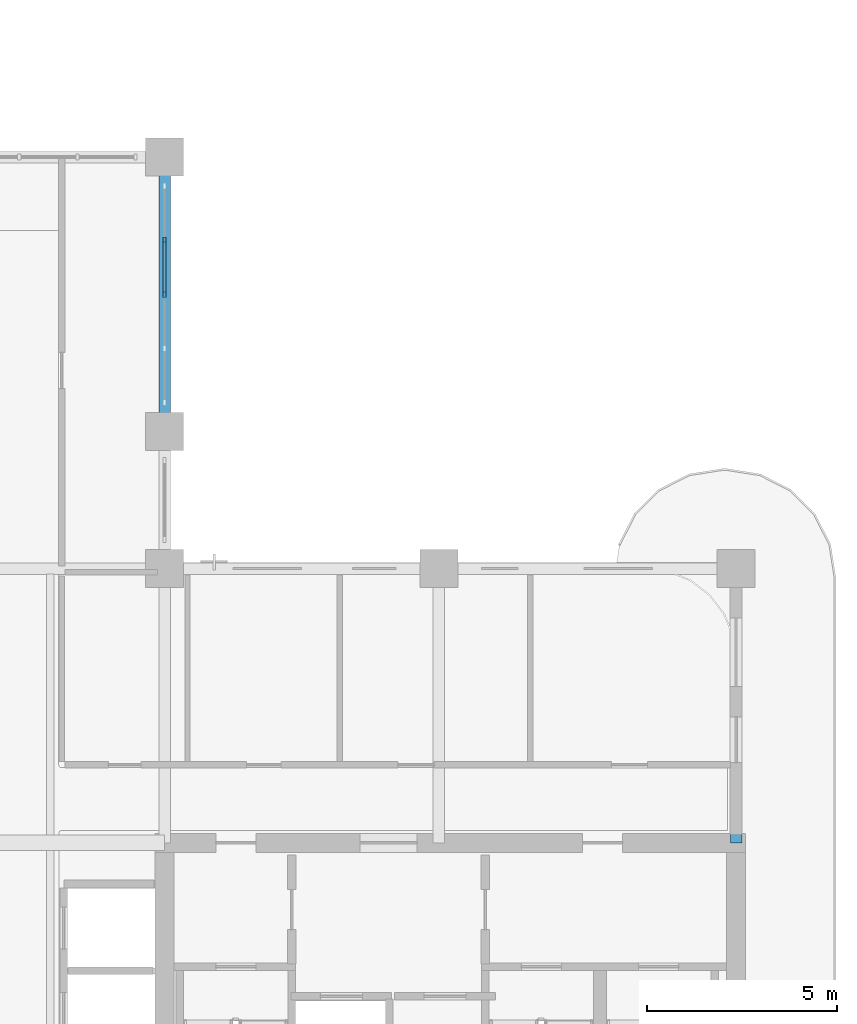
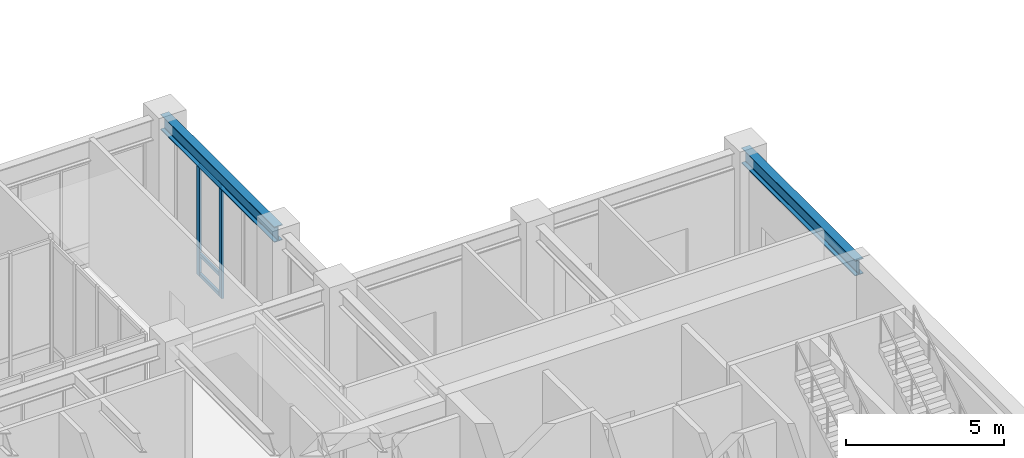
# One storey, part 4 of 21: 5 members, 2 beams, 1 element without a shape of its own.
"""IFC4 building model written with IfcOpenShell, lengths in metres."""

import ifcopenshell
import ifcopenshell.guid

model = None  # the IFC model being written
_history = None  # IfcOwnerHistory: only IFC2X3 demands one
_inside = {}  # id of a spatial element -> (the spatial element, [elements in it])
_under = {}  # id of a project, library or spatial element -> (it, [spatial elements below it])
_declared = {}  # id of a project -> (the project, [libraries it declares])
_typed = {}  # id of a type object -> (the type object, [elements of that type])
_made_of = {}  # id of a material, layer set ... -> (it, [elements and type objects made of it])


def new_model(schema):
    """Start an empty IFC model of exactly this schema.

    Asked for "IFC4X3", IfcOpenShell would pick the latest addendum, in which some entities
    have other attributes; the version numbers below select the first issue.
    IFC2X3 requires an IfcOwnerHistory on every rooted entity: one is made here for all.
    """
    global model, _history
    if schema == "IFC4X3":
        model = ifcopenshell.file(schema_version=(4, 3, 0, 0))
    else:
        model = ifcopenshell.file(schema=schema)
    _inside.clear()
    _under.clear()
    _declared.clear()
    _typed.clear()
    _made_of.clear()
    _history = None
    if model.schema == "IFC2X3":
        org = make("IfcOrganization", Name="unknown")
        user = make(
            "IfcPersonAndOrganization",
            ThePerson=make("IfcPerson", FamilyName="unknown"),
            TheOrganization=org,
        )
        app = make(
            "IfcApplication",
            ApplicationDeveloper=org,
            Version="unknown",
            ApplicationFullName="unknown",
            ApplicationIdentifier="unknown",
        )
        _history = make(
            "IfcOwnerHistory",
            OwningUser=user,
            OwningApplication=app,
            ChangeAction="ADDED",
            CreationDate=0,
        )
    return model


def make(cls, **values):
    """One entity of the class cls with the attributes given. An attribute that is None is left unset."""
    return model.create_entity(
        cls, **{name: value for name, value in values.items() if value is not None}
    )


def rooted(cls, **values):
    """An entity with a GlobalId (a new one), such as an element, a storey or a relation."""
    return make(cls, GlobalId=ifcopenshell.guid.new(), OwnerHistory=_history, **values)


def si_unit(unit_type, name, prefix=None):
    """IfcSIUnit, for example si_unit("LENGTHUNIT", "METRE", prefix="MILLI")."""
    return make("IfcSIUnit", UnitType=unit_type, Prefix=prefix, Name=name)


def derived_unit(unit_type, elements):
    """IfcDerivedUnit: a product of units, each with its exponent."""
    return make(
        "IfcDerivedUnit",
        Elements=[
            make("IfcDerivedUnitElement", Unit=unit, Exponent=power)
            for unit, power in elements
        ],
        UnitType=unit_type,
    )


def assignment(units):
    """IfcUnitAssignment: the units of a project."""
    return None if units is None else make("IfcUnitAssignment", Units=units)


def point(xyz):
    """IfcCartesianPoint."""
    return None if xyz is None else make("IfcCartesianPoint", Coordinates=xyz)


def direction(xyz):
    """IfcDirection."""
    return None if xyz is None else make("IfcDirection", DirectionRatios=xyz)


def frame(location, z_axis=None, x_axis=None):
    """IfcAxis2Placement3D, a coordinate frame: its origin and axes. An axis left out is left unset."""
    return make(
        "IfcAxis2Placement3D",
        Location=point(location),
        Axis=direction(z_axis),
        RefDirection=direction(x_axis),
    )


def frame_2d(location, x_axis=None):
    """IfcAxis2Placement2D, a coordinate frame in the plane: its origin and x axis."""
    return make(
        "IfcAxis2Placement2D", Location=point(location), RefDirection=direction(x_axis)
    )


def origin():
    """The frame at (0, 0, 0) with its axes left unset."""
    return frame((0.0, 0.0, 0.0))


def origin_2d():
    """The frame at (0, 0) in the plane with its x axis left unset."""
    return frame_2d((0.0, 0.0))


def place(relative_to, where):
    """IfcLocalPlacement: puts the frame where relative to a parent placement (None: the world)."""
    return make(
        "IfcLocalPlacement", PlacementRelTo=relative_to, RelativePlacement=where
    )


def context(
    kind, dimensions, precision=None, world=None, true_north=None, identifier=None
):
    """IfcGeometricRepresentationContext, for example the 3D "Model" context."""
    return make(
        "IfcGeometricRepresentationContext",
        ContextIdentifier=identifier,
        ContextType=kind,
        CoordinateSpaceDimension=dimensions,
        Precision=precision,
        WorldCoordinateSystem=world,
        TrueNorth=true_north,
    )


def subcontext(parent, identifier, kind, view, scale=None):
    """IfcGeometricRepresentationSubContext, for example "Body" below "Model"."""
    return make(
        "IfcGeometricRepresentationSubContext",
        ContextIdentifier=identifier,
        ContextType=kind,
        ParentContext=parent,
        TargetScale=scale,
        TargetView=view,
    )


def project(units=None, contexts=None):
    """IfcProject with its units and contexts."""
    return rooted(
        "IfcProject",
        Name="project",
        RepresentationContexts=contexts,
        UnitsInContext=assignment(units),
    )


def spatial(cls, under=None, at=None, **own):
    """A site, building, storey or space (cls), placed at a placement, below another one or the project."""
    s = rooted(cls, ObjectPlacement=at, **own)
    if under is not None:
        _under.setdefault(under.id(), (under, []))[1].append(s)
    return s


def profile(cls, at=None, kind="AREA", **sizes):
    """A parametric profile (cls). Its sizes go by their IFC names, for example OverallWidth=200.0."""
    return make(cls, ProfileType=kind, Position=at, **sizes)


def rectangle(**sizes):
    """IfcRectangleProfileDef."""
    return profile("IfcRectangleProfileDef", **sizes)


def i_section(**sizes):
    """IfcIShapeProfileDef."""
    return profile("IfcIShapeProfileDef", **sizes)


def extrude(swept, where, along, depth):
    """IfcExtrudedAreaSolid: the profile swept, set in the frame where, extruded along a direction by depth."""
    return make(
        "IfcExtrudedAreaSolid",
        SweptArea=swept,
        Position=where,
        ExtrudedDirection=direction(along),
        Depth=depth,
    )


def shape(context_of_items, identifier, shape_type, items):
    """IfcShapeRepresentation: the items that make up one representation, for example the "Body"."""
    return make(
        "IfcShapeRepresentation",
        ContextOfItems=context_of_items,
        RepresentationIdentifier=identifier,
        RepresentationType=shape_type,
        Items=items,
    )


def source(mapping_origin, context_of_items, identifier, shape_type, items):
    """IfcRepresentationMap: a shape defined once, which mapped items show again and again."""
    return make(
        "IfcRepresentationMap",
        MappingOrigin=mapping_origin,
        MappedRepresentation=shape(context_of_items, identifier, shape_type, items),
    )


def transform(
    local_origin,
    x_axis=None,
    y_axis=None,
    z_axis=None,
    scale=None,
    scale2=None,
    scale3=None,
    uniform=True,
):
    """IfcCartesianTransformationOperator3D, or its non-uniform kind. x_axis, y_axis, z_axis: its Axis1, 2, 3."""
    if uniform:
        return make(
            "IfcCartesianTransformationOperator3D",
            Axis1=direction(x_axis),
            Axis2=direction(y_axis),
            LocalOrigin=point(local_origin),
            Scale=scale,
            Axis3=direction(z_axis),
        )
    return make(
        "IfcCartesianTransformationOperator3DnonUniform",
        Axis1=direction(x_axis),
        Axis2=direction(y_axis),
        LocalOrigin=point(local_origin),
        Scale=scale,
        Axis3=direction(z_axis),
        Scale2=scale2,
        Scale3=scale3,
    )


def mapped(mapping_source, mapping_target):
    """IfcMappedItem: shows the shape of a source again, moved by a transform."""
    return make(
        "IfcMappedItem", MappingSource=mapping_source, MappingTarget=mapping_target
    )


def material(Name=None, Category=None):
    """IfcMaterial."""
    return make("IfcMaterial", Name=Name, Category=Category)


def layer(
    of_material, thickness, ventilated=None, Name=None, Category=None, Priority=None
):
    """IfcMaterialLayer: one layer of a wall or slab, of a material (None: an air gap)."""
    return make(
        "IfcMaterialLayer",
        Material=of_material,
        LayerThickness=thickness,
        IsVentilated=ventilated,
        Name=Name,
        Category=Category,
        Priority=Priority,
    )


def layer_set(layers, Name=None):
    """IfcMaterialLayerSet."""
    return make("IfcMaterialLayerSet", MaterialLayers=layers, LayerSetName=Name)


def material_profile(
    of_material, cross_section, Name=None, Category=None, Priority=None
):
    """IfcMaterialProfile: a cross section and its material."""
    return make(
        "IfcMaterialProfile",
        Name=Name,
        Material=of_material,
        Profile=cross_section,
        Priority=Priority,
        Category=Category,
    )


def profile_set(profiles, Name=None, composite=None):
    """IfcMaterialProfileSet."""
    return make(
        "IfcMaterialProfileSet",
        Name=Name,
        MaterialProfiles=profiles,
        CompositeProfile=composite,
    )


def made_of(thing, what):
    """Note that an element or type object is made of a material, layer set ...; save() writes the relation."""
    if what is not None:
        _made_of.setdefault(what.id(), (what, []))[1].append(thing)
    return thing


def type_object(cls, material=None, **own):
    """A type object (cls), such as IfcWallType, which elements share."""
    return made_of(rooted(cls, **own), material)


def type_shapes(of_type, sources):
    """Give a type object the sources (RepresentationMaps) that its elements show as mapped items."""
    of_type.RepresentationMaps = sources


def element(
    cls,
    number,
    at=None,
    inside=None,
    cuts=None,
    type_object=None,
    material=None,
    context=None,
    identifier="Body",
    shape_type=None,
    held_by="IfcProductDefinitionShape",
    body=None,
    shapes=None,
    **own,
):
    """One element of the class cls, such as IfcWall. Its Tag is "e" and its number.

    at: its placement. inside: the storey or other place that contains it. cuts: it is an
    opening in that element (IfcRelVoidsElement). A single representation is given by context,
    identifier, shape_type and body (its items); several are given by shapes. held_by: the class
    of the entity that holds the representations. save() writes the other relations.
    """
    e = rooted(cls, Tag="e%d" % number, ObjectPlacement=at, **own)
    if body is not None:
        shapes = [shape(context, identifier, shape_type, body)]
    if shapes is not None:
        e.Representation = make(held_by, Representations=shapes)
    if inside is not None:
        _inside.setdefault(inside.id(), (inside, []))[1].append(e)
    if cuts is not None:
        rooted(
            "IfcRelVoidsElement", RelatingBuildingElement=cuts, RelatedOpeningElement=e
        )
    if type_object is not None:
        _typed.setdefault(type_object.id(), (type_object, []))[1].append(e)
    return made_of(e, material)


def aggregate(whole, parts):
    """IfcRelAggregates: a whole, such as a stair, and the parts it consists of."""
    return rooted("IfcRelAggregates", RelatingObject=whole, RelatedObjects=parts)


def save(model, path):
    """Write the relations noted so far, then the file.

    IfcRelAggregates (storeys below a building ...), IfcRelContainedInSpatialStructure (elements
    in a storey), IfcRelDefinesByType, IfcRelAssociatesMaterial and IfcRelDeclares: one each for
    every whole, place, type object, material and project.
    """
    for whole, parts in _under.values():
        aggregate(whole, parts)
    for where, things in _inside.values():
        rooted(
            "IfcRelContainedInSpatialStructure",
            RelatedElements=things,
            RelatingStructure=where,
        )
    for kind, things in _typed.values():
        rooted("IfcRelDefinesByType", RelatedObjects=things, RelatingType=kind)
    for what, things in _made_of.values():
        rooted("IfcRelAssociatesMaterial", RelatedObjects=things, RelatingMaterial=what)
    for by, libraries in _declared.values():
        rooted("IfcRelDeclares", RelatingContext=by, RelatedDefinitions=libraries)
    model.write(path)


model = new_model("IFC4")

# Units and contexts
model_context = context("Model", 3, precision=1e-05, world=origin(), true_north=direction((0.0, 1.0)))
body_context = subcontext(model_context, "Body", "Model", "MODEL_VIEW")
ifc_project = project(units=[si_unit("LENGTHUNIT", "METRE"), si_unit("AREAUNIT", "SQUARE_METRE"), si_unit("VOLUMEUNIT", "CUBIC_METRE"), si_unit("PLANEANGLEUNIT", "RADIAN"), si_unit("MASSUNIT", "GRAM", prefix="KILO"), si_unit("THERMODYNAMICTEMPERATUREUNIT", "KELVIN"), si_unit("POWERUNIT", "WATT"), derived_unit("THERMALTRANSMITTANCEUNIT", [(si_unit("POWERUNIT", "WATT"), 1), (si_unit("AREAUNIT", "SQUARE_METRE"), -1), (si_unit("THERMODYNAMICTEMPERATUREUNIT", "KELVIN"), -1)])], contexts=[model_context])

# Site, building, storey
site_placement = place(None, origin())
site = spatial("IfcSite", under=ifc_project, at=site_placement, CompositionType="ELEMENT")
building_placement = place(site_placement, origin())
building = spatial("IfcBuilding", under=site, at=building_placement, Name="Zahravan Archway Hotel and Residences", CompositionType="ELEMENT")
storey_placement = place(building_placement, frame((0.0, 0.0, 145.10009765625)))
storey = spatial("IfcBuildingStorey", under=building, at=storey_placement, Name="L36", CompositionType="ELEMENT", Elevation=145.10009765625)

# Beams
ifc_material_1 = material(Name="Structural Steel S355JR", Category="steel")
ifc_material_profile_1 = material_profile(ifc_material_1, i_section(OverallWidth=0.300048828125, OverallDepth=0.60009765625, WebThickness=0.015380859375, FlangeThickness=0.030029296875, FilletRadius=0.027099609375, at=origin_2d()), Name="HEB 600", Category="steel")
ifc_profile_set_1 = profile_set([ifc_material_profile_1], Name="Structural Steel S355JR")
beam_type = type_object("IfcBeamType", Name="BM-PRI-HEB600", PredefinedType="BEAM", material=ifc_profile_set_1)
shared_shape_1 = source(origin(), body_context, "Body", "SweptSolid", [
    extrude(i_section(OverallWidth=0.300048828125, OverallDepth=0.60009765625, WebThickness=0.015380859375, FlangeThickness=0.030029296875, FilletRadius=0.027099609375, at=origin_2d()), origin(), (0.0, 0.0, 1.0), 7.2001953125),
])
type_shapes(beam_type, [shared_shape_1])
beam_1_placement = place(storey_placement, frame((49.800048828125, 14.39990234375, 4.64990234375), z_axis=(0.0, 1.0, 0.0), x_axis=(-1.0, 0.0, 0.0)))
element("IfcBeam", 1, at=beam_1_placement, inside=storey, type_object=beam_type, Name="L36 Primary Girder NS-45", PredefinedType="BEAM", context=body_context, shape_type="MappedRepresentation", body=[
    mapped(shared_shape_1, transform((0.0, 0.0, 0.0), scale=1.0)),
])
shared_shape_2 = source(origin(), body_context, "Body", "SweptSolid", [
    extrude(i_section(OverallWidth=0.300048828125, OverallDepth=0.60009765625, WebThickness=0.015380859375, FlangeThickness=0.030029296875, FilletRadius=0.027099609375, at=origin_2d()), origin(), (0.0, 0.0, 1.0), 7.199951171875),
])
beam_2_placement = place(storey_placement, frame((34.800048828125, 25.199951171875, 4.64990234375), z_axis=(0.0, 1.0, 0.0), x_axis=(-1.0, 0.0, 0.0)))
element("IfcBeam", 2, at=beam_2_placement, inside=storey, type_object=beam_type, Name="L36 Primary Girder NS-43", PredefinedType="BEAM", context=body_context, shape_type="MappedRepresentation", body=[
    mapped(shared_shape_2, transform((0.0, 0.0, 0.0), scale=1.0)),
])

# Curtain wall, members
ifc_material_2 = material(Name="Bronze-Anodized Unitised Aluminium & Low-E Glass", Category="aluminium")
ifc_layer = layer(ifc_material_2, 0.179931640625, Name="Bronze-Anodized Unitised Aluminium & Low-E Glass", Category="aluminium")
ifc_layer_set = layer_set([ifc_layer], Name="Bronze-Anodized Unitised Aluminium & Low-E Glass")
curtain_wall_type = type_object("IfcCurtainWallType", Name="CW-SBG-2", PredefinedType="NOTDEFINED", material=ifc_layer_set)
curtain_wall_placement = place(storey_placement, origin())
curtain_wall = element("IfcCurtainWall", 3, at=curtain_wall_placement, inside=storey, type_object=curtain_wall_type, Name="L36 Curtain Wall CW-L36-HNG-E-2", PredefinedType="NOTDEFINED")
ifc_material_3 = material(Name="Bronze-Anodized Extruded Aluminium", Category="aluminium")
ifc_material_profile_2 = material_profile(ifc_material_3, rectangle(XDim=0.080078125, YDim=0.139892578125, at=origin_2d()), Name="TRN 80x140", Category="aluminium")
ifc_profile_set_2 = profile_set([ifc_material_profile_2], Name="Bronze-Anodized Extruded Aluminium")
member_type_1 = type_object("IfcMemberType", Name="CWM-TRN-140", PredefinedType="USERDEFINED", material=ifc_profile_set_2)
shared_shape_3 = source(origin(), body_context, "Body", "SweptSolid", [
    extrude(rectangle(XDim=0.080078125, YDim=0.139892578125, at=origin_2d()), origin(), (0.0, 0.0, 1.0), 1.33984375),
])
member_1_placement = place(storey_placement, frame((34.800048828125, 28.840087890625, 0.06982421875), z_axis=(0.0, 1.0, 0.0), x_axis=(-1.0, 0.0, 0.0)))
member_1 = element("IfcMember", 4, at=member_1_placement, type_object=member_type_1, Name="CW-L36-HNG-E-2 Transom 2-1", ObjectType="TRANSOM", PredefinedType="USERDEFINED", context=body_context, shape_type="MappedRepresentation", body=[
    mapped(shared_shape_3, transform((0.0, 0.0, 0.0), scale=1.0)),
])
member_2_placement = place(storey_placement, frame((34.800048828125, 28.840087890625, 0.849853515625), z_axis=(0.0, 1.0, 0.0), x_axis=(-1.0, 0.0, 0.0)))
member_2 = element("IfcMember", 5, at=member_2_placement, type_object=member_type_1, Name="CW-L36-HNG-E-2 Transom 2-2", ObjectType="TRANSOM", PredefinedType="USERDEFINED", context=body_context, shape_type="MappedRepresentation", body=[
    mapped(shared_shape_3, transform((0.0, 0.0, 0.0), scale=1.0)),
])
member_3_placement = place(storey_placement, frame((34.800048828125, 28.840087890625, 4.264892578125), z_axis=(0.0, 1.0, 0.0), x_axis=(-1.0, 0.0, 0.0)))
member_3 = element("IfcMember", 6, at=member_3_placement, type_object=member_type_1, Name="CW-L36-HNG-E-2 Transom 2-3", ObjectType="TRANSOM", PredefinedType="USERDEFINED", context=body_context, shape_type="MappedRepresentation", body=[
    mapped(shared_shape_3, transform((0.0, 0.0, 0.0), scale=1.0)),
])
ifc_material_profile_3 = material_profile(ifc_material_3, rectangle(XDim=0.080078125, YDim=0.159912109375, at=origin_2d()), Name="MUL 80x160", Category="aluminium")
ifc_profile_set_3 = profile_set([ifc_material_profile_3], Name="Bronze-Anodized Extruded Aluminium")
member_type_2 = type_object("IfcMemberType", Name="CWM-MUL-160", PredefinedType="MULLION", material=ifc_profile_set_3)
shared_shape_4 = source(origin(), body_context, "Body", "SweptSolid", [
    extrude(rectangle(XDim=0.080078125, YDim=0.159912109375, at=origin_2d()), origin(), (0.0, 0.0, 1.0), 4.3349609375),
])
member_4_placement = place(storey_placement, frame((34.800048828125, 28.800048828125, 0.0), z_axis=(0.0, 0.0, 1.0), x_axis=(1.0, 0.0, 0.0)))
member_4 = element("IfcMember", 7, at=member_4_placement, type_object=member_type_2, Name="CW-L36-HNG-E-2 Mullion 2", PredefinedType="MULLION", context=body_context, shape_type="MappedRepresentation", body=[
    mapped(shared_shape_4, transform((0.0, 0.0, 0.0), scale=1.0)),
])
member_5_placement = place(storey_placement, frame((34.800048828125, 30.219970703125, 0.0), z_axis=(0.0, 0.0, 1.0), x_axis=(1.0, 0.0, 0.0)))
member_5 = element("IfcMember", 8, at=member_5_placement, type_object=member_type_2, Name="CW-L36-HNG-E-2 Mullion 3", PredefinedType="MULLION", context=body_context, shape_type="MappedRepresentation", body=[
    mapped(shared_shape_4, transform((0.0, 0.0, 0.0), scale=1.0)),
])
aggregate(curtain_wall, [member_4, member_5, member_1, member_2, member_3])

save(model, "model.ifc")
